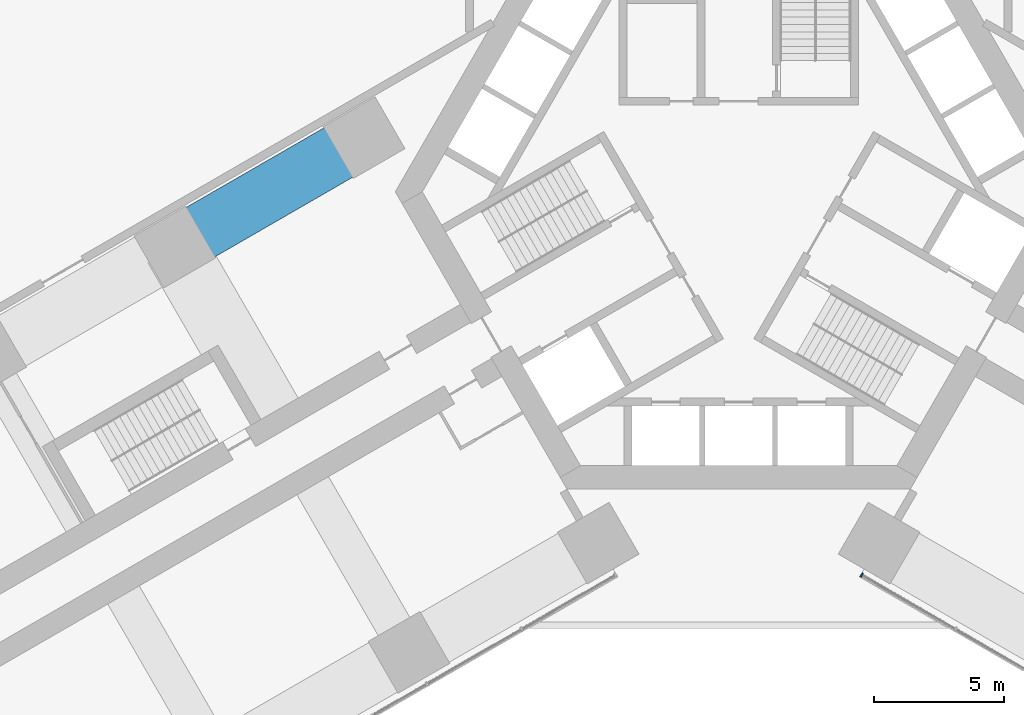
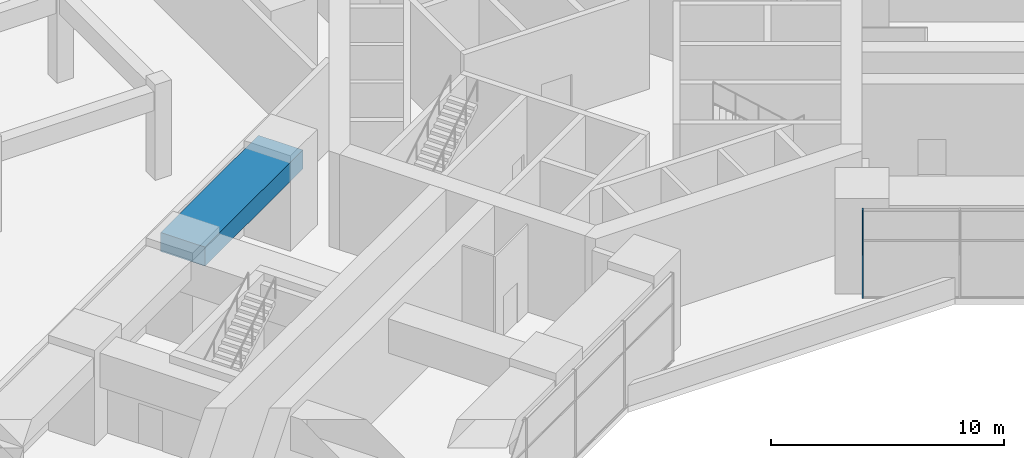
# One storey, part 6 of 33: 1 beam, 1 member, 1 element without a shape of its own.
"""IFC4 building model written with IfcOpenShell, lengths in metres."""

from ifc_helpers import new_model, si_unit, direction, frame, origin, origin_2d, place, context, subcontext, project, spatial, rectangle, extrude, material, material_profile, profile_set, type_object, element, aggregate, save


model = new_model("IFC4")

# Units and contexts
model_context = context("Model", 3, precision=1e-05, world=origin(), true_north=direction((0.0, 1.0)))
body_context = subcontext(model_context, "Body", "Model", "MODEL_VIEW")
ifc_project = project(units=[si_unit("LENGTHUNIT", "METRE"), si_unit("AREAUNIT", "SQUARE_METRE"), si_unit("VOLUMEUNIT", "CUBIC_METRE"), si_unit("PLANEANGLEUNIT", "RADIAN"), si_unit("MASSUNIT", "GRAM", prefix="KILO")], contexts=[model_context])

# Site, building, storey
site_placement = place(None, origin())
site = spatial("IfcSite", under=ifc_project, at=site_placement, CompositionType="ELEMENT")
building_placement = place(site_placement, origin())
building = spatial("IfcBuilding", under=site, at=building_placement, Name="Impinga Residences", CompositionType="ELEMENT")
storey_placement = place(building_placement, frame((0.0, 0.0, 21.0)))
storey = spatial("IfcBuildingStorey", under=building, at=storey_placement, Name="L04", CompositionType="ELEMENT", Elevation=21.0)

# Curtain wall, member
ifc_material_1 = material(Name="Aluminium stick curtain wall", Category="aluminium")
curtain_wall_type = type_object("IfcCurtainWallType", Name="CW1 podium amenity curtain wall", PredefinedType="USERDEFINED", material=ifc_material_1)
curtain_wall_placement = place(storey_placement, origin())
curtain_wall = element("IfcCurtainWall", 1, at=curtain_wall_placement, inside=storey, type_object=curtain_wall_type, Name="Curtain wall CW1 L04", ObjectType="STICK CURTAIN WALL", PredefinedType="USERDEFINED")
ifc_material_2 = material(Name="Aluminium mullion", Category="aluminium")
ifc_material_profile_1 = material_profile(ifc_material_2, rectangle(XDim=0.06005859375, YDim=0.179931640625, at=origin_2d()), Name="60x180 mullion")
ifc_profile_set_1 = profile_set([ifc_material_profile_1], Name="Aluminium mullion")
member_type = type_object("IfcMemberType", Name="CW1-M mullion 60x180", PredefinedType="MULLION", material=ifc_profile_set_1)
member_placement = place(storey_placement, frame((4.72607421875, -14.737548828125, 0.0), z_axis=(0.0, 0.0, 1.0), x_axis=(-0.866025407005, 0.499999994423, 0.0)))
member = element("IfcMember", 2, at=member_placement, type_object=member_type, Name="CW1 mullion 9", PredefinedType="MULLION", context=body_context, shape_type="SweptSolid", body=[
    extrude(rectangle(XDim=0.06005859375, YDim=0.179931640625, at=origin_2d()), origin(), (0.0, 0.0, 1.0), 4.60009765625),
])
aggregate(curtain_wall, [member])

# Beam
ifc_material_3 = material(Name="Concrete C60/75", Category="concrete")
ifc_material_profile_2 = material_profile(ifc_material_3, rectangle(XDim=2.199951171875, YDim=1.0, at=origin_2d()), Name="RC 2200x1000")
ifc_profile_set_2 = profile_set([ifc_material_profile_2], Name="Concrete C60/75")
beam_type = type_object("IfcBeamType", Name="PB3 2200x1000 podium band beam", PredefinedType="BEAM", material=ifc_profile_set_2)
beam_placement = place(storey_placement, frame((-14.39990234375, 2.078369140625, 4.10009765625), z_axis=(-0.86602925447, -0.499993330357, 0.0), x_axis=(0.499993330357, -0.86602925447, 0.0)))
element("IfcBeam", 3, at=beam_placement, inside=storey, type_object=beam_type, Name="Beam PB3 WF W1-W2 level L05", PredefinedType="BEAM", context=body_context, shape_type="SweptSolid", body=[
    extrude(rectangle(XDim=2.199951171875, YDim=1.0, at=origin_2d()), origin(), (0.0, 0.0, 1.0), 8.39990234375),
])

save(model, "model.ifc")
